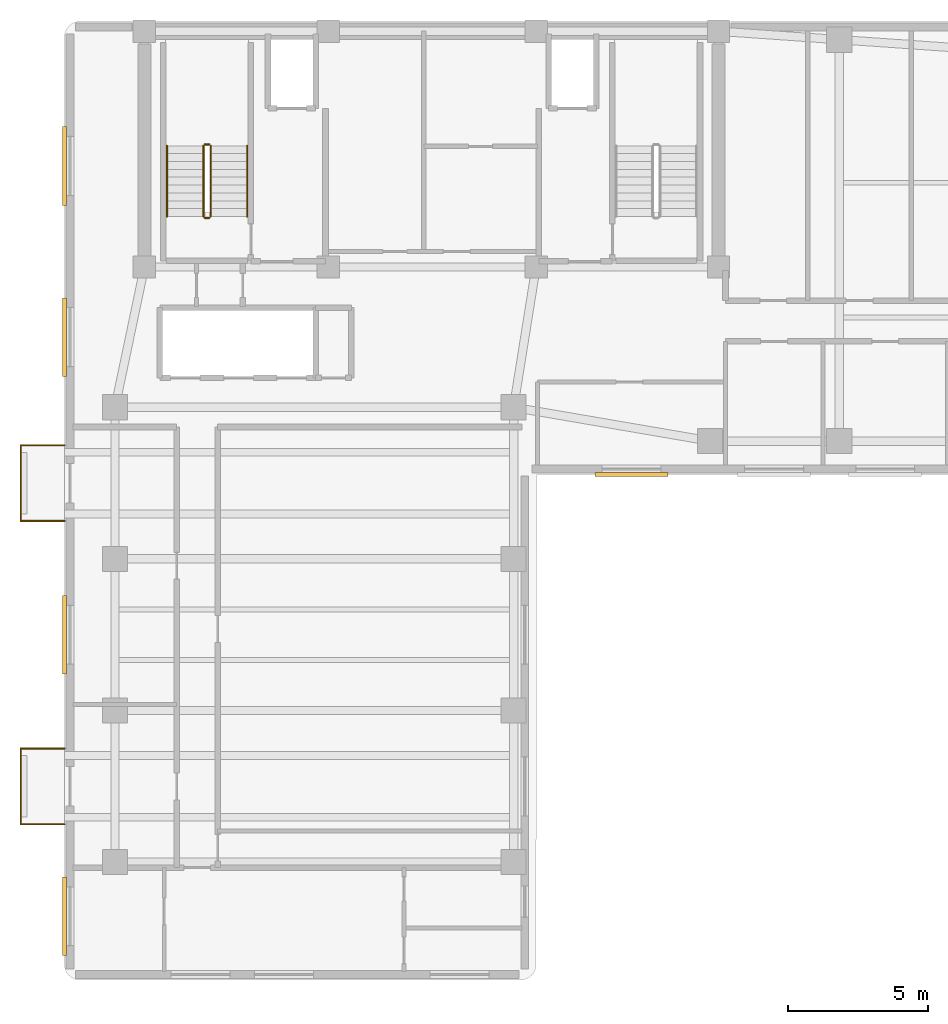
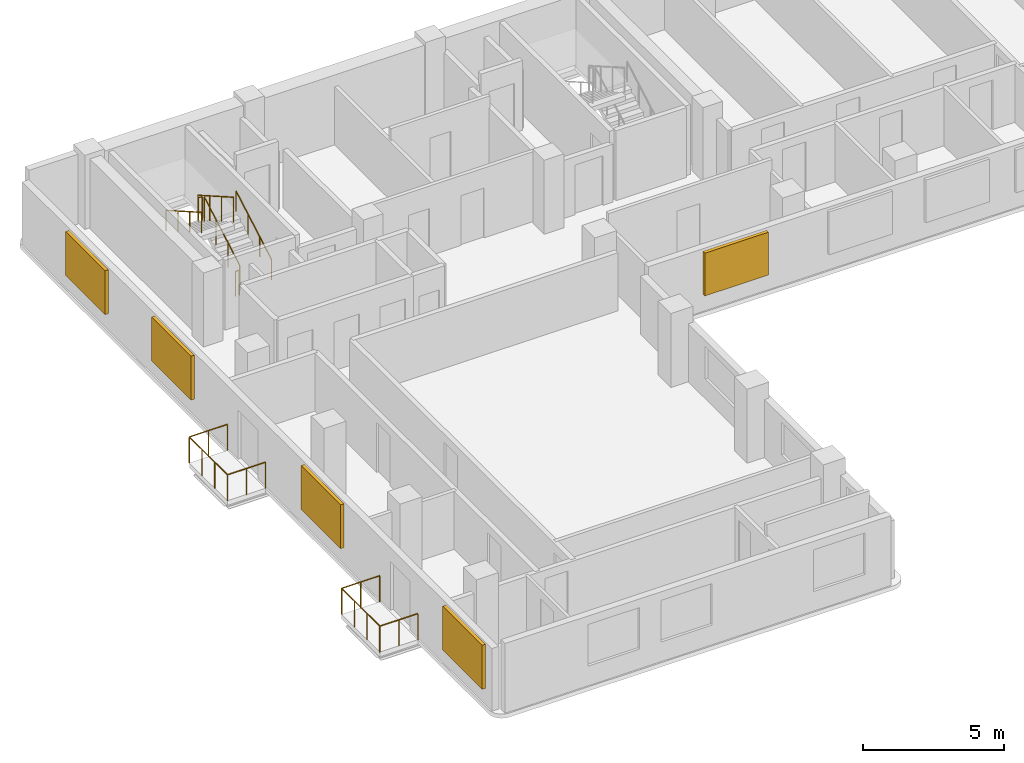
# One storey, part 6 of 7: 12 railings, 5 shading devices.
"""IFC4 building model written with IfcOpenShell, lengths in metres."""

from ifc_helpers import new_model, si_unit, direction, frame, origin, origin_2d, place, context, subcontext, project, spatial, rectangle, circle, extrude, material, layer, layer_set, type_object, element, save


model = new_model("IFC4")

# Units and contexts
model_context = context("Model", 3, precision=1e-05, world=origin(), true_north=direction((0.0, 1.0)))
body_context = subcontext(model_context, "Body", "Model", "MODEL_VIEW")
ifc_project = project(units=[si_unit("LENGTHUNIT", "METRE"), si_unit("AREAUNIT", "SQUARE_METRE"), si_unit("VOLUMEUNIT", "CUBIC_METRE"), si_unit("PLANEANGLEUNIT", "RADIAN"), si_unit("MASSUNIT", "GRAM", prefix="KILO")], contexts=[model_context])

# Site, building, storey
site_placement = place(None, origin())
site = spatial("IfcSite", under=ifc_project, at=site_placement, CompositionType="ELEMENT")
building_placement = place(site_placement, origin())
building = spatial("IfcBuilding", under=site, at=building_placement, Name="Kuzgunbayir Cultural Tower", CompositionType="ELEMENT")
storey_placement = place(building_placement, frame((0.0, 0.0, 192.0)))
storey = spatial("IfcBuildingStorey", under=building, at=storey_placement, Name="L56", CompositionType="ELEMENT", Elevation=192.0)

# Railings
ifc_material_1 = material(Name="Laminated Glass and Stainless Steel", Category="steel")
ifc_layer_1 = layer(ifc_material_1, 0.080078125)
ifc_layer_set_1 = layer_set([ifc_layer_1], Name="Laminated Glass and Stainless Steel")
railing_type_1 = type_object("IfcRailingType", Name="RLG-BAL-115", PredefinedType="BALUSTRADE", material=ifc_layer_set_1)
railing_1_placement = place(storey_placement, frame((3.60009765625, 13.949951171875, 0.0)))
element("IfcRailing", 1, at=railing_1_placement, inside=storey, type_object=railing_type_1, Name="L56 Balcony Guard BAL-L56-WA1 Segment 1", PredefinedType="BALUSTRADE", context=body_context, shape_type="SweptSolid", body=[
    extrude(circle(Radius=0.02392578125, at=origin_2d()), frame((0.0, 0.0, 1.1259765625), z_axis=(-1.0, 0.0, 0.0), x_axis=(0.0, -1.0, 0.0)), (0.0, 0.0, 1.0), 1.56005859375),
    extrude(circle(Radius=0.02099609375, at=origin_2d()), origin(), (0.0, 0.0, 1.0), 1.101806640625),
    extrude(circle(Radius=0.02099609375, at=origin_2d()), frame((-0.780029296875, 0.0, 0.0)), (0.0, 0.0, 1.0), 1.101806640625),
    extrude(circle(Radius=0.02099609375, at=origin_2d()), frame((-1.56005859375, 0.0, 0.0)), (0.0, 0.0, 1.0), 1.101806640625),
])
railing_2_placement = place(storey_placement, frame((2.0400390625, 13.949951171875, 0.0)))
element("IfcRailing", 2, at=railing_2_placement, inside=storey, type_object=railing_type_1, Name="L56 Balcony Guard BAL-L56-WA1 Segment 2", PredefinedType="BALUSTRADE", context=body_context, shape_type="SweptSolid", body=[
    extrude(circle(Radius=0.02392578125, at=origin_2d()), frame((0.0, 0.0, 1.1259765625), z_axis=(0.0, 1.0, 0.0), x_axis=(-1.0, 0.0, 0.0)), (0.0, 0.0, 1.0), 2.699951171875),
    extrude(circle(Radius=0.02099609375, at=origin_2d()), origin(), (0.0, 0.0, 1.0), 1.101806640625),
    extrude(circle(Radius=0.02099609375, at=origin_2d()), frame((0.0, 0.89990234375, 0.0)), (0.0, 0.0, 1.0), 1.101806640625),
    extrude(circle(Radius=0.02099609375, at=origin_2d()), frame((0.0, 1.800048828125, 0.0)), (0.0, 0.0, 1.0), 1.101806640625),
    extrude(circle(Radius=0.02099609375, at=origin_2d()), frame((0.0, 2.699951171875, 0.0)), (0.0, 0.0, 1.0), 1.101806640625),
])
railing_3_placement = place(storey_placement, frame((2.0400390625, 16.64990234375, 0.0)))
element("IfcRailing", 3, at=railing_3_placement, inside=storey, type_object=railing_type_1, Name="L56 Balcony Guard BAL-L56-WA1 Segment 3", PredefinedType="BALUSTRADE", context=body_context, shape_type="SweptSolid", body=[
    extrude(circle(Radius=0.02392578125, at=origin_2d()), frame((0.0, 0.0, 1.1259765625), z_axis=(1.0, 0.0, 0.0), x_axis=(0.0, 1.0, 0.0)), (0.0, 0.0, 1.0), 1.56005859375),
    extrude(circle(Radius=0.02099609375, at=origin_2d()), origin(), (0.0, 0.0, 1.0), 1.101806640625),
    extrude(circle(Radius=0.02099609375, at=origin_2d()), frame((0.780029296875, 0.0, 0.0)), (0.0, 0.0, 1.0), 1.101806640625),
    extrude(circle(Radius=0.02099609375, at=origin_2d()), frame((1.56005859375, 0.0, 0.0)), (0.0, 0.0, 1.0), 1.101806640625),
])
railing_4_placement = place(storey_placement, frame((3.60009765625, 24.75, 0.0)))
element("IfcRailing", 4, at=railing_4_placement, inside=storey, type_object=railing_type_1, Name="L56 Balcony Guard BAL-L56-WA3 Segment 1", PredefinedType="BALUSTRADE", context=body_context, shape_type="SweptSolid", body=[
    extrude(circle(Radius=0.02392578125, at=origin_2d()), frame((0.0, 0.0, 1.1259765625), z_axis=(-1.0, 0.0, 0.0), x_axis=(0.0, -1.0, 0.0)), (0.0, 0.0, 1.0), 1.56005859375),
    extrude(circle(Radius=0.02099609375, at=origin_2d()), origin(), (0.0, 0.0, 1.0), 1.101806640625),
    extrude(circle(Radius=0.02099609375, at=origin_2d()), frame((-0.780029296875, 0.0, 0.0)), (0.0, 0.0, 1.0), 1.101806640625),
    extrude(circle(Radius=0.02099609375, at=origin_2d()), frame((-1.56005859375, 0.0, 0.0)), (0.0, 0.0, 1.0), 1.101806640625),
])
railing_5_placement = place(storey_placement, frame((2.0400390625, 24.75, 0.0)))
element("IfcRailing", 5, at=railing_5_placement, inside=storey, type_object=railing_type_1, Name="L56 Balcony Guard BAL-L56-WA3 Segment 2", PredefinedType="BALUSTRADE", context=body_context, shape_type="SweptSolid", body=[
    extrude(circle(Radius=0.02392578125, at=origin_2d()), frame((0.0, 0.0, 1.1259765625), z_axis=(0.0, 1.0, 0.0), x_axis=(-1.0, 0.0, 0.0)), (0.0, 0.0, 1.0), 2.699951171875),
    extrude(circle(Radius=0.02099609375, at=origin_2d()), origin(), (0.0, 0.0, 1.0), 1.101806640625),
    extrude(circle(Radius=0.02099609375, at=origin_2d()), frame((0.0, 0.89990234375, 0.0)), (0.0, 0.0, 1.0), 1.101806640625),
    extrude(circle(Radius=0.02099609375, at=origin_2d()), frame((0.0, 1.800048828125, 0.0)), (0.0, 0.0, 1.0), 1.101806640625),
    extrude(circle(Radius=0.02099609375, at=origin_2d()), frame((0.0, 2.699951171875, 0.0)), (0.0, 0.0, 1.0), 1.101806640625),
])
railing_6_placement = place(storey_placement, frame((2.0400390625, 27.449951171875, 0.0)))
element("IfcRailing", 6, at=railing_6_placement, inside=storey, type_object=railing_type_1, Name="L56 Balcony Guard BAL-L56-WA3 Segment 3", PredefinedType="BALUSTRADE", context=body_context, shape_type="SweptSolid", body=[
    extrude(circle(Radius=0.02392578125, at=origin_2d()), frame((0.0, 0.0, 1.1259765625), z_axis=(1.0, 0.0, 0.0), x_axis=(0.0, 1.0, 0.0)), (0.0, 0.0, 1.0), 1.56005859375),
    extrude(circle(Radius=0.02099609375, at=origin_2d()), origin(), (0.0, 0.0, 1.0), 1.101806640625),
    extrude(circle(Radius=0.02099609375, at=origin_2d()), frame((0.780029296875, 0.0, 0.0)), (0.0, 0.0, 1.0), 1.101806640625),
    extrude(circle(Radius=0.02099609375, at=origin_2d()), frame((1.56005859375, 0.0, 0.0)), (0.0, 0.0, 1.0), 1.101806640625),
])
ifc_material_2 = material(Name="Brushed Stainless Steel", Category="steel")
ifc_layer_2 = layer(ifc_material_2, 0.050048828125)
ifc_layer_set_2 = layer_set([ifc_layer_2], Name="Brushed Stainless Steel")
railing_type_2 = type_object("IfcRailingType", Name="RLG-STAIR-HANDRAIL", PredefinedType="HANDRAIL", material=ifc_layer_set_2)
railing_7_placement = place(storey_placement, frame((10.110107421875, 35.60009765625, 0.159912109375)))
element("IfcRailing", 7, at=railing_7_placement, inside=storey, type_object=railing_type_2, Name="L56 ST-1 stair handrail 1", PredefinedType="HANDRAIL", context=body_context, shape_type="SweptSolid", body=[
    extrude(circle(Radius=0.02392578125, at=origin_2d()), frame((0.0, 0.0, 0.8759765625), z_axis=(0.0, 0.868217259934, 0.496184229447), x_axis=(-1.0, 0.0, 0.0)), (0.0, 0.0, 1.0), 2.902587890625),
    extrude(circle(Radius=0.02099609375, at=origin_2d()), origin(), (0.0, 0.0, 1.0), 0.851806640625),
    extrude(circle(Radius=0.02099609375, at=origin_2d()), frame((0.0, 0.840087890625, 0.47998046875)), (0.0, 0.0, 1.0), 0.851806640625),
    extrude(circle(Radius=0.02099609375, at=origin_2d()), frame((0.0, 1.679931640625, 0.960205078125)), (0.0, 0.0, 1.0), 0.851806640625),
    extrude(circle(Radius=0.02099609375, at=origin_2d()), frame((0.0, 2.52001953125, 1.440185546875)), (0.0, 0.0, 1.0), 0.851806640625),
])
railing_8_placement = place(storey_placement, frame((7.25, 38.1201171875, 1.760009765625)))
element("IfcRailing", 8, at=railing_8_placement, inside=storey, type_object=railing_type_2, Name="L56 ST-1 stair handrail 2", PredefinedType="HANDRAIL", context=body_context, shape_type="SweptSolid", body=[
    extrude(circle(Radius=0.02392578125, at=origin_2d()), frame((0.0, 0.0, 0.8759765625), z_axis=(0.0, -0.868253494771, 0.496120820787), x_axis=(1.0, 0.0, 0.0)), (0.0, 0.0, 1.0), 2.90234375),
    extrude(circle(Radius=0.02099609375, at=origin_2d()), origin(), (0.0, 0.0, 1.0), 0.851806640625),
    extrude(circle(Radius=0.02099609375, at=origin_2d()), frame((0.0, -0.840087890625, 0.47998046875)), (0.0, 0.0, 1.0), 0.851806640625),
    extrude(circle(Radius=0.02099609375, at=origin_2d()), frame((0.0, -1.679931640625, 0.9599609375)), (0.0, 0.0, 1.0), 0.851806640625),
    extrude(circle(Radius=0.02099609375, at=origin_2d()), frame((0.0, -2.52001953125, 1.43994140625)), (0.0, 0.0, 1.0), 0.851806640625),
])
ifc_material_3 = material(Name="Painted Steel Balustrade", Category="steel")
ifc_layer_3 = layer(ifc_material_3, 0.06005859375)
ifc_layer_set_3 = layer_set([ifc_layer_3], Name="Painted Steel Balustrade")
railing_type_3 = type_object("IfcRailingType", Name="RLG-WELL-GUARD", PredefinedType="GUARDRAIL", material=ifc_layer_set_3)
railing_9_placement = place(storey_placement, frame((8.81005859375, 35.60009765625, 0.159912109375)))
element("IfcRailing", 9, at=railing_9_placement, inside=storey, type_object=railing_type_3, Name="L56 ST-1 stair guard 1", PredefinedType="GUARDRAIL", context=body_context, shape_type="SweptSolid", body=[
    extrude(circle(Radius=0.02392578125, at=origin_2d()), frame((0.0, 0.0, 1.076171875), z_axis=(0.0, 0.868217259934, 0.496184229447), x_axis=(-1.0, 0.0, 0.0)), (0.0, 0.0, 1.0), 2.902587890625),
    extrude(circle(Radius=0.02099609375, at=origin_2d()), origin(), (0.0, 0.0, 1.0), 1.052001953125),
    extrude(circle(Radius=0.02099609375, at=origin_2d()), frame((0.0, 0.840087890625, 0.47998046875)), (0.0, 0.0, 1.0), 1.052001953125),
    extrude(circle(Radius=0.02099609375, at=origin_2d()), frame((0.0, 1.679931640625, 0.960205078125)), (0.0, 0.0, 1.0), 1.052001953125),
    extrude(circle(Radius=0.02099609375, at=origin_2d()), frame((0.0, 2.52001953125, 1.440185546875)), (0.0, 0.0, 1.0), 1.052001953125),
])
railing_10_placement = place(storey_placement, frame((8.760009765625, 38.169921875, 1.60009765625)))
element("IfcRailing", 10, at=railing_10_placement, inside=storey, type_object=railing_type_3, Name="L56 ST-1 stair guard 2", PredefinedType="GUARDRAIL", context=body_context, shape_type="SweptSolid", body=[
    extrude(circle(Radius=0.02392578125, at=origin_2d()), frame((0.0, 0.0, 1.076171875), z_axis=(-1.0, 0.0, 0.0), x_axis=(0.0, -1.0, 0.0)), (0.0, 0.0, 1.0), 0.159912109375),
    extrude(circle(Radius=0.02099609375, at=origin_2d()), origin(), (0.0, 0.0, 1.0), 1.052001953125),
    extrude(circle(Radius=0.02099609375, at=origin_2d()), frame((-0.159912109375, 0.0, 0.0)), (0.0, 0.0, 1.0), 1.052001953125),
])
railing_11_placement = place(storey_placement, frame((8.550048828125, 38.1201171875, 1.760009765625)))
element("IfcRailing", 11, at=railing_11_placement, inside=storey, type_object=railing_type_3, Name="L56 ST-1 stair guard 3", PredefinedType="GUARDRAIL", context=body_context, shape_type="SweptSolid", body=[
    extrude(circle(Radius=0.02392578125, at=origin_2d()), frame((0.0, 0.0, 1.076171875), z_axis=(0.0, -0.868253494771, 0.496120820787), x_axis=(1.0, 0.0, 0.0)), (0.0, 0.0, 1.0), 2.90234375),
    extrude(circle(Radius=0.02099609375, at=origin_2d()), origin(), (0.0, 0.0, 1.0), 1.052001953125),
    extrude(circle(Radius=0.02099609375, at=origin_2d()), frame((0.0, -0.840087890625, 0.47998046875)), (0.0, 0.0, 1.0), 1.052001953125),
    extrude(circle(Radius=0.02099609375, at=origin_2d()), frame((0.0, -1.679931640625, 0.9599609375)), (0.0, 0.0, 1.0), 1.052001953125),
    extrude(circle(Radius=0.02099609375, at=origin_2d()), frame((0.0, -2.52001953125, 1.43994140625)), (0.0, 0.0, 1.0), 1.052001953125),
])
railing_12_placement = place(storey_placement, frame((8.760009765625, 35.550048828125, 0.0)))
element("IfcRailing", 12, at=railing_12_placement, inside=storey, type_object=railing_type_3, Name="L56 ST-1 stair guard 4", PredefinedType="GUARDRAIL", context=body_context, shape_type="SweptSolid", body=[
    extrude(circle(Radius=0.02392578125, at=origin_2d()), frame((0.0, 0.0, 1.076171875), z_axis=(-1.0, 0.0, 0.0), x_axis=(0.0, -1.0, 0.0)), (0.0, 0.0, 1.0), 0.159912109375),
    extrude(circle(Radius=0.02099609375, at=origin_2d()), origin(), (0.0, 0.0, 1.0), 1.052001953125),
    extrude(circle(Radius=0.02099609375, at=origin_2d()), frame((-0.159912109375, 0.0, 0.0)), (0.0, 0.0, 1.0), 1.052001953125),
])

# Shading devices
ifc_material_4 = material(Name="Perforated Bronze-Anodised Aluminium", Category="aluminium")
shading_device_type = type_object("IfcShadingDeviceType", Name="SHD-SOLAR-BRONZE", PredefinedType="JALOUSIE", material=ifc_material_4)
shading_device_placement = place(storey_placement, frame((23.800048828125, 26.409912109375, 0.73486328125), z_axis=(0.0, 0.0, 1.0), x_axis=(1.0, 0.0, 0.0)))
element("IfcShadingDevice", 13, at=shading_device_placement, inside=storey, type_object=shading_device_type, Name="L56 Solar Screen WBS1", PredefinedType="JALOUSIE", context=body_context, shape_type="SweptSolid", body=[
    extrude(rectangle(XDim=2.60009765625, YDim=0.139892578125, at=origin_2d()), origin(), (0.0, 0.0, 1.0), 1.85009765625),
])
for number, where, z_axis, x_axis, name in (
    (14, (3.60009765625, 10.669921875, 0.7099609375), (0.0, 0.0, 1.0), (1.0, 0.0, 0.0), "L56 Perforated Bronze Solar Screen WAW2"),
    (15, (3.60009765625, 20.699951171875, 0.7099609375), (0.0, 0.0, 1.0), (1.0, 0.0, 0.0), "L56 Perforated Bronze Solar Screen WAW13"),
    (16, (3.60009765625, 31.300048828125, 0.7099609375), (0.0, 0.0, 1.0), (1.0, 0.0, 0.0), "L56 Perforated Bronze Solar Screen WAW14"),
    (17, (3.60009765625, 37.39990234375, 0.7099609375), (0.0, 0.0, 1.0), (1.0, 0.0, 0.0), "L56 Perforated Bronze Solar Screen WAW15"),
):
    element("IfcShadingDevice", number, at=place(storey_placement, frame(where, z_axis=z_axis, x_axis=x_axis)), inside=storey, type_object=shading_device_type, Name=name, PredefinedType="JALOUSIE", context=body_context, shape_type="SweptSolid", body=[
        extrude(rectangle(XDim=0.139892578125, YDim=2.800048828125, at=origin_2d()), origin(), (0.0, 0.0, 1.0), 1.89990234375),
    ])

save(model, "model.ifc")
